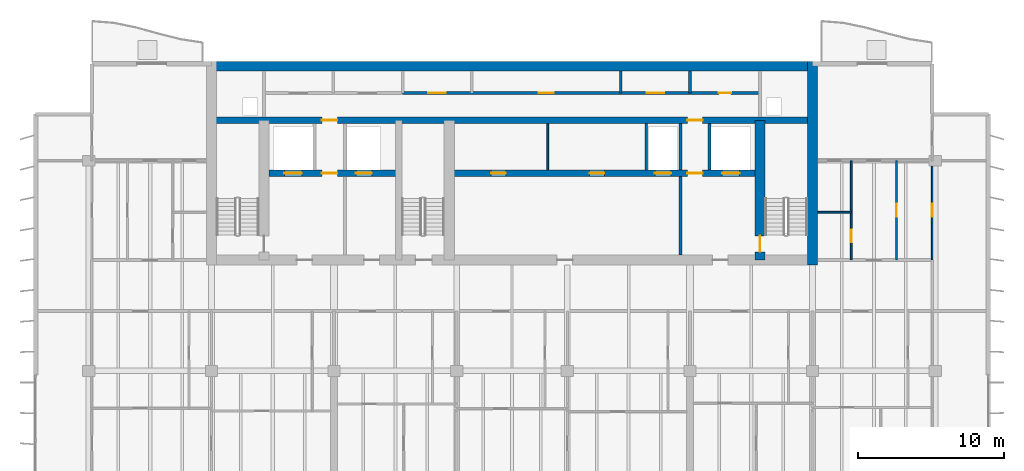
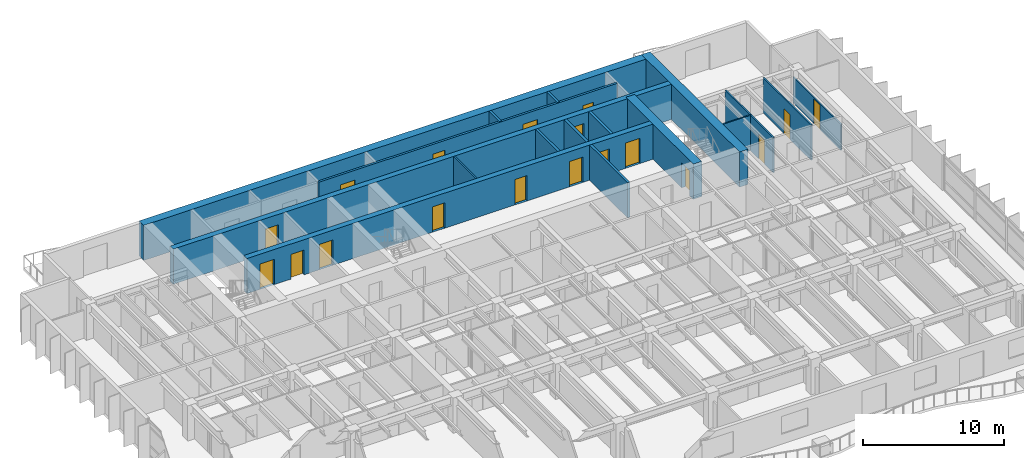
# One storey, part 14 of 19: 18 doors, 17 walls, 18 openings.
"""IFC4 building model written with IfcOpenShell, lengths in metres."""

import ifcopenshell
import ifcopenshell.guid

model = None  # the IFC model being written
_history = None  # IfcOwnerHistory: only IFC2X3 demands one
_inside = {}  # id of a spatial element -> (the spatial element, [elements in it])
_under = {}  # id of a project, library or spatial element -> (it, [spatial elements below it])
_declared = {}  # id of a project -> (the project, [libraries it declares])
_typed = {}  # id of a type object -> (the type object, [elements of that type])
_made_of = {}  # id of a material, layer set ... -> (it, [elements and type objects made of it])


def new_model(schema):
    """Start an empty IFC model of exactly this schema.

    Asked for "IFC4X3", IfcOpenShell would pick the latest addendum, in which some entities
    have other attributes; the version numbers below select the first issue.
    IFC2X3 requires an IfcOwnerHistory on every rooted entity: one is made here for all.
    """
    global model, _history
    if schema == "IFC4X3":
        model = ifcopenshell.file(schema_version=(4, 3, 0, 0))
    else:
        model = ifcopenshell.file(schema=schema)
    _inside.clear()
    _under.clear()
    _declared.clear()
    _typed.clear()
    _made_of.clear()
    _history = None
    if model.schema == "IFC2X3":
        org = make("IfcOrganization", Name="unknown")
        user = make(
            "IfcPersonAndOrganization",
            ThePerson=make("IfcPerson", FamilyName="unknown"),
            TheOrganization=org,
        )
        app = make(
            "IfcApplication",
            ApplicationDeveloper=org,
            Version="unknown",
            ApplicationFullName="unknown",
            ApplicationIdentifier="unknown",
        )
        _history = make(
            "IfcOwnerHistory",
            OwningUser=user,
            OwningApplication=app,
            ChangeAction="ADDED",
            CreationDate=0,
        )
    return model


def make(cls, **values):
    """One entity of the class cls with the attributes given. An attribute that is None is left unset."""
    return model.create_entity(
        cls, **{name: value for name, value in values.items() if value is not None}
    )


def rooted(cls, **values):
    """An entity with a GlobalId (a new one), such as an element, a storey or a relation."""
    return make(cls, GlobalId=ifcopenshell.guid.new(), OwnerHistory=_history, **values)


def si_unit(unit_type, name, prefix=None):
    """IfcSIUnit, for example si_unit("LENGTHUNIT", "METRE", prefix="MILLI")."""
    return make("IfcSIUnit", UnitType=unit_type, Prefix=prefix, Name=name)


def assignment(units):
    """IfcUnitAssignment: the units of a project."""
    return None if units is None else make("IfcUnitAssignment", Units=units)


def point(xyz):
    """IfcCartesianPoint."""
    return None if xyz is None else make("IfcCartesianPoint", Coordinates=xyz)


def direction(xyz):
    """IfcDirection."""
    return None if xyz is None else make("IfcDirection", DirectionRatios=xyz)


def frame(location, z_axis=None, x_axis=None):
    """IfcAxis2Placement3D, a coordinate frame: its origin and axes. An axis left out is left unset."""
    return make(
        "IfcAxis2Placement3D",
        Location=point(location),
        Axis=direction(z_axis),
        RefDirection=direction(x_axis),
    )


def frame_2d(location, x_axis=None):
    """IfcAxis2Placement2D, a coordinate frame in the plane: its origin and x axis."""
    return make(
        "IfcAxis2Placement2D", Location=point(location), RefDirection=direction(x_axis)
    )


def origin():
    """The frame at (0, 0, 0) with its axes left unset."""
    return frame((0.0, 0.0, 0.0))


def place(relative_to, where):
    """IfcLocalPlacement: puts the frame where relative to a parent placement (None: the world)."""
    return make(
        "IfcLocalPlacement", PlacementRelTo=relative_to, RelativePlacement=where
    )


def context(
    kind, dimensions, precision=None, world=None, true_north=None, identifier=None
):
    """IfcGeometricRepresentationContext, for example the 3D "Model" context."""
    return make(
        "IfcGeometricRepresentationContext",
        ContextIdentifier=identifier,
        ContextType=kind,
        CoordinateSpaceDimension=dimensions,
        Precision=precision,
        WorldCoordinateSystem=world,
        TrueNorth=true_north,
    )


def subcontext(parent, identifier, kind, view, scale=None):
    """IfcGeometricRepresentationSubContext, for example "Body" below "Model"."""
    return make(
        "IfcGeometricRepresentationSubContext",
        ContextIdentifier=identifier,
        ContextType=kind,
        ParentContext=parent,
        TargetScale=scale,
        TargetView=view,
    )


def project(units=None, contexts=None):
    """IfcProject with its units and contexts."""
    return rooted(
        "IfcProject",
        Name="project",
        RepresentationContexts=contexts,
        UnitsInContext=assignment(units),
    )


def spatial(cls, under=None, at=None, **own):
    """A site, building, storey or space (cls), placed at a placement, below another one or the project."""
    s = rooted(cls, ObjectPlacement=at, **own)
    if under is not None:
        _under.setdefault(under.id(), (under, []))[1].append(s)
    return s


def profile(cls, at=None, kind="AREA", **sizes):
    """A parametric profile (cls). Its sizes go by their IFC names, for example OverallWidth=200.0."""
    return make(cls, ProfileType=kind, Position=at, **sizes)


def rectangle(**sizes):
    """IfcRectangleProfileDef."""
    return profile("IfcRectangleProfileDef", **sizes)


def extrude(swept, where, along, depth):
    """IfcExtrudedAreaSolid: the profile swept, set in the frame where, extruded along a direction by depth."""
    return make(
        "IfcExtrudedAreaSolid",
        SweptArea=swept,
        Position=where,
        ExtrudedDirection=direction(along),
        Depth=depth,
    )


def shape(context_of_items, identifier, shape_type, items):
    """IfcShapeRepresentation: the items that make up one representation, for example the "Body"."""
    return make(
        "IfcShapeRepresentation",
        ContextOfItems=context_of_items,
        RepresentationIdentifier=identifier,
        RepresentationType=shape_type,
        Items=items,
    )


def material(Name=None, Category=None):
    """IfcMaterial."""
    return make("IfcMaterial", Name=Name, Category=Category)


def layer(
    of_material, thickness, ventilated=None, Name=None, Category=None, Priority=None
):
    """IfcMaterialLayer: one layer of a wall or slab, of a material (None: an air gap)."""
    return make(
        "IfcMaterialLayer",
        Material=of_material,
        LayerThickness=thickness,
        IsVentilated=ventilated,
        Name=Name,
        Category=Category,
        Priority=Priority,
    )


def layer_set(layers, Name=None):
    """IfcMaterialLayerSet."""
    return make("IfcMaterialLayerSet", MaterialLayers=layers, LayerSetName=Name)


def made_of(thing, what):
    """Note that an element or type object is made of a material, layer set ...; save() writes the relation."""
    if what is not None:
        _made_of.setdefault(what.id(), (what, []))[1].append(thing)
    return thing


def type_object(cls, material=None, **own):
    """A type object (cls), such as IfcWallType, which elements share."""
    return made_of(rooted(cls, **own), material)


def element(
    cls,
    number,
    at=None,
    inside=None,
    cuts=None,
    type_object=None,
    material=None,
    context=None,
    identifier="Body",
    shape_type=None,
    held_by="IfcProductDefinitionShape",
    body=None,
    shapes=None,
    **own,
):
    """One element of the class cls, such as IfcWall. Its Tag is "e" and its number.

    at: its placement. inside: the storey or other place that contains it. cuts: it is an
    opening in that element (IfcRelVoidsElement). A single representation is given by context,
    identifier, shape_type and body (its items); several are given by shapes. held_by: the class
    of the entity that holds the representations. save() writes the other relations.
    """
    e = rooted(cls, Tag="e%d" % number, ObjectPlacement=at, **own)
    if body is not None:
        shapes = [shape(context, identifier, shape_type, body)]
    if shapes is not None:
        e.Representation = make(held_by, Representations=shapes)
    if inside is not None:
        _inside.setdefault(inside.id(), (inside, []))[1].append(e)
    if cuts is not None:
        rooted(
            "IfcRelVoidsElement", RelatingBuildingElement=cuts, RelatedOpeningElement=e
        )
    if type_object is not None:
        _typed.setdefault(type_object.id(), (type_object, []))[1].append(e)
    return made_of(e, material)


def fill(opening, filler):
    """IfcRelFillsElement: the door or window that sits in an opening."""
    return rooted(
        "IfcRelFillsElement",
        RelatingOpeningElement=opening,
        RelatedBuildingElement=filler,
    )


def aggregate(whole, parts):
    """IfcRelAggregates: a whole, such as a stair, and the parts it consists of."""
    return rooted("IfcRelAggregates", RelatingObject=whole, RelatedObjects=parts)


def save(model, path):
    """Write the relations noted so far, then the file.

    IfcRelAggregates (storeys below a building ...), IfcRelContainedInSpatialStructure (elements
    in a storey), IfcRelDefinesByType, IfcRelAssociatesMaterial and IfcRelDeclares: one each for
    every whole, place, type object, material and project.
    """
    for whole, parts in _under.values():
        aggregate(whole, parts)
    for where, things in _inside.values():
        rooted(
            "IfcRelContainedInSpatialStructure",
            RelatedElements=things,
            RelatingStructure=where,
        )
    for kind, things in _typed.values():
        rooted("IfcRelDefinesByType", RelatedObjects=things, RelatingType=kind)
    for what, things in _made_of.values():
        rooted("IfcRelAssociatesMaterial", RelatedObjects=things, RelatingMaterial=what)
    for by, libraries in _declared.values():
        rooted("IfcRelDeclares", RelatingContext=by, RelatedDefinitions=libraries)
    model.write(path)


model = new_model("IFC4")

# Units and contexts
model_context = context("Model", 3, precision=1e-05, world=origin(), true_north=direction((0.0, 1.0)))
body_context = subcontext(model_context, "Body", "Model", "MODEL_VIEW")
ifc_project = project(units=[si_unit("LENGTHUNIT", "METRE"), si_unit("AREAUNIT", "SQUARE_METRE"), si_unit("VOLUMEUNIT", "CUBIC_METRE"), si_unit("PLANEANGLEUNIT", "RADIAN"), si_unit("MASSUNIT", "GRAM", prefix="KILO")], contexts=[model_context])

# Site, building, storey
site_placement = place(None, origin())
site = spatial("IfcSite", under=ifc_project, at=site_placement, CompositionType="ELEMENT")
building_placement = place(site_placement, origin())
building = spatial("IfcBuilding", under=site, at=building_placement, Name="Caelmar Bay Residences", CompositionType="ELEMENT")
storey_placement = place(building_placement, frame((0.0, 0.0, 191.699951171875)))
storey = spatial("IfcBuildingStorey", under=building, at=storey_placement, Name="L53", CompositionType="ELEMENT", Elevation=191.699951171875)

# Wall
ifc_material_1 = material(Name="Concrete f'c 55 MPa (8,000 psi)", Category="concrete")
ifc_layer_1 = layer(ifc_material_1, 0.699951171875)
ifc_layer_set_1 = layer_set([ifc_layer_1], Name="Concrete f'c 55 MPa (8,000 psi)")
wall_type_1 = type_object("IfcWallType", Name="SW-COR-700", PredefinedType="SHEAR", material=ifc_layer_set_1)
wall_1_placement = place(storey_placement, frame((59.5, 36.64990234375, 0.0), z_axis=(0.0, 0.0, 1.0), x_axis=(0.0, 1.0, 0.0)))
element("IfcWall", 1, at=wall_1_placement, inside=storey, type_object=wall_type_1, Name="L53 Rear Core East Shear Wall", PredefinedType="SHEAR", context=body_context, shape_type="SweptSolid", body=[
    extrude(rectangle(XDim=13.9501953125, YDim=0.699951171875, at=frame_2d((6.97509765625, 0.0))), origin(), (0.0, 0.0, 1.0), 3.050048828125),
])

# Wall, opening, door
wall_2_placement = place(storey_placement, frame((55.89990234375, 37.0, 0.0), z_axis=(0.0, 0.0, 1.0), x_axis=(0.0, 1.0, 0.0)))
wall_2 = element("IfcWall", 2, at=wall_2_placement, inside=storey, type_object=wall_type_1, Name="L53 Core Structural Web Wall ST2W", PredefinedType="SHEAR", context=body_context, shape_type="SweptSolid", body=[
    extrude(rectangle(XDim=9.574951171875, YDim=0.699951171875, at=frame_2d((4.78759765625, 0.0))), origin(), (0.0, 0.0, 1.0), 3.050048828125),
])
opening_1_placement = place(wall_2_placement, frame((0.550048828125, 0.0, 0.0)))
opening_1 = element("IfcOpeningElement", 3, at=opening_1_placement, cuts=wall_2, Name="Opening D-L53-110", PredefinedType="OPENING", context=body_context, shape_type="SweptSolid", body=[
    extrude(rectangle(XDim=1.10009765625, YDim=2.14990234375, at=frame_2d((0.550048828125, 1.074951171875))), frame((0.0, 0.35986328125, 0.0), z_axis=(0.0, -1.0, 0.0), x_axis=(1.0, 0.0, 0.0)), (0.0, 0.0, 1.0), 0.719970703125),
])
ifc_material_2 = material(Name="Fire-rated steel and walnut architectural door assembly", Category="steel")
ifc_layer_2 = layer(ifc_material_2, 0.050048828125)
ifc_layer_set_2 = layer_set([ifc_layer_2], Name="Fire-rated steel and walnut architectural door assembly")
door_type_1 = type_object("IfcDoorType", Name="D-STAIR-1100", OperationType="NOTDEFINED", PredefinedType="DOOR", material=ifc_layer_set_2)
door_1_placement = place(opening_1_placement, origin())
door_1 = element("IfcDoor", 4, at=door_1_placement, inside=storey, type_object=door_type_1, Name="L53 Firefighting Lobby East Door", OperationType="SINGLE_SWING_RIGHT", OverallHeight=2.14990234375, OverallWidth=1.10009765625, PredefinedType="DOOR", context=body_context, shape_type="SweptSolid", body=[
    extrude(rectangle(XDim=1.10009765625, YDim=2.14990234375, at=frame_2d((0.550048828125, 1.074951171875))), frame((0.0, 0.02490234375, 0.0), z_axis=(0.0, -1.0, 0.0), x_axis=(1.0, 0.0, 0.0)), (0.0, 0.0, 1.0), 0.050048828125),
])
fill(opening_1, door_1)

# Wall
ifc_layer_3 = layer(ifc_material_1, 0.64990234375)
ifc_layer_set_3 = layer_set([ifc_layer_3], Name="Concrete f'c 55 MPa (8,000 psi)")
wall_type_2 = type_object("IfcWallType", Name="SW-CORN-650", PredefinedType="SHEAR", material=ifc_layer_set_3)
wall_3_placement = place(storey_placement, frame((17.949951171875, 50.27490234375, 0.0), z_axis=(0.0, 0.0, 1.0), x_axis=(1.0, 0.0, 0.0)))
element("IfcWall", 5, at=wall_3_placement, inside=storey, type_object=wall_type_2, Name="L53 Rear Core North Shear Wall", PredefinedType="SHEAR", context=body_context, shape_type="SweptSolid", body=[
    extrude(rectangle(XDim=41.900146484375, YDim=0.64990234375, at=frame_2d((20.9501953125, 0.0))), origin(), (0.0, 0.0, 1.0), 3.050048828125),
])

# Wall, openings, doors
ifc_material_3 = material(Name="Concrete f'c 70 MPa (10,000 psi)", Category="concrete")
ifc_layer_4 = layer(ifc_material_3, 0.449951171875)
ifc_layer_set_4 = layer_set([ifc_layer_4], Name="Concrete f'c 70 MPa (10,000 psi)")
wall_type_3 = type_object("IfcWallType", Name="SW-WEB-450", PredefinedType="SHEAR", material=ifc_layer_set_4)
wall_4_placement = place(storey_placement, frame((22.25, 42.949951171875, 0.0), z_axis=(0.0, 0.0, 1.0), x_axis=(1.0, 0.0, 0.0)))
wall_4 = element("IfcWall", 6, at=wall_4_placement, inside=storey, type_object=wall_type_3, Name="L53 Core Structural Web Wall LFR", PredefinedType="SHEAR", context=body_context, shape_type="SweptSolid", body=[
    extrude(rectangle(XDim=33.300048828125, YDim=0.449951171875, at=frame_2d((16.64990234375, 0.0))), origin(), (0.0, 0.0, 1.0), 3.050048828125),
])
opening_2_placement = place(wall_4_placement, frame((1.050048828125, 0.0, 0.0)))
opening_2 = element("IfcOpeningElement", 7, at=opening_2_placement, cuts=wall_4, Name="Opening LD2", PredefinedType="OPENING", context=body_context, shape_type="SweptSolid", body=[
    extrude(rectangle(XDim=1.199951171875, YDim=2.199951171875, at=frame_2d((0.60009765625, 1.10009765625))), frame((0.0, 0.23486328125, 0.0), z_axis=(0.0, -1.0, 0.0), x_axis=(1.0, 0.0, 0.0)), (0.0, 0.0, 1.0), 0.469970703125),
])
opening_3_placement = place(wall_4_placement, frame((31.050048828125, 0.0, 0.0)))
opening_3 = element("IfcOpeningElement", 8, at=opening_3_placement, cuts=wall_4, Name="Opening LD2", PredefinedType="OPENING", context=body_context, shape_type="SweptSolid", body=[
    extrude(rectangle(XDim=1.199951171875, YDim=2.199951171875, at=frame_2d((0.60009765625, 1.10009765625))), frame((0.0, 0.23486328125, 0.0), z_axis=(0.0, -1.0, 0.0), x_axis=(1.0, 0.0, 0.0)), (0.0, 0.0, 1.0), 0.469970703125),
])
opening_4_placement = place(wall_4_placement, frame((26.449951171875, 0.0, 0.0)))
opening_4 = element("IfcOpeningElement", 9, at=opening_4_placement, cuts=wall_4, Name="Opening LD1", PredefinedType="OPENING", context=body_context, shape_type="SweptSolid", body=[
    extrude(rectangle(XDim=1.10009765625, YDim=2.199951171875, at=frame_2d((0.550048828125, 1.10009765625))), frame((0.0, 0.23486328125, 0.0), z_axis=(0.0, -1.0, 0.0), x_axis=(1.0, 0.0, 0.0)), (0.0, 0.0, 1.0), 0.469970703125),
])
opening_5_placement = place(wall_4_placement, frame((5.949951171875, 0.0, 0.0)))
opening_5 = element("IfcOpeningElement", 10, at=opening_5_placement, cuts=wall_4, Name="Opening LD1", PredefinedType="OPENING", context=body_context, shape_type="SweptSolid", body=[
    extrude(rectangle(XDim=1.10009765625, YDim=2.199951171875, at=frame_2d((0.550048828125, 1.10009765625))), frame((0.0, 0.23486328125, 0.0), z_axis=(0.0, -1.0, 0.0), x_axis=(1.0, 0.0, 0.0)), (0.0, 0.0, 1.0), 0.469970703125),
])
opening_6_placement = place(wall_4_placement, frame((3.625, 0.0, 0.0)))
opening_6 = element("IfcOpeningElement", 11, at=opening_6_placement, cuts=wall_4, Name="Opening D-L53-108", PredefinedType="OPENING", context=body_context, shape_type="SweptSolid", body=[
    extrude(rectangle(XDim=1.050048828125, YDim=2.14990234375, at=frame_2d((0.52490234375, 1.074951171875))), frame((0.0, 0.23486328125, 0.0), z_axis=(0.0, -1.0, 0.0), x_axis=(1.0, 0.0, 0.0)), (0.0, 0.0, 1.0), 0.469970703125),
])
opening_7_placement = place(wall_4_placement, frame((28.675048828125, 0.0, 0.0)))
opening_7 = element("IfcOpeningElement", 12, at=opening_7_placement, cuts=wall_4, Name="Opening D-L53-111", PredefinedType="OPENING", context=body_context, shape_type="SweptSolid", body=[
    extrude(rectangle(XDim=1.050048828125, YDim=2.14990234375, at=frame_2d((0.52490234375, 1.074951171875))), frame((0.0, 0.23486328125, 0.0), z_axis=(0.0, -1.0, 0.0), x_axis=(1.0, 0.0, 0.0)), (0.0, 0.0, 1.0), 0.469970703125),
])
opening_8_placement = place(wall_4_placement, frame((15.22509765625, 0.0, 0.0)))
opening_8 = element("IfcOpeningElement", 13, at=opening_8_placement, cuts=wall_4, Name="Opening D-L53-114", PredefinedType="OPENING", context=body_context, shape_type="SweptSolid", body=[
    extrude(rectangle(XDim=1.0, YDim=2.199951171875, at=frame_2d((0.5, 1.10009765625))), frame((0.0, 0.23486328125, 0.0), z_axis=(0.0, -1.0, 0.0), x_axis=(1.0, 0.0, 0.0)), (0.0, 0.0, 1.0), 0.469970703125),
])
opening_9_placement = place(wall_4_placement, frame((21.97509765625, 0.0, 0.0)))
opening_9 = element("IfcOpeningElement", 14, at=opening_9_placement, cuts=wall_4, Name="Opening D-L53-115", PredefinedType="OPENING", context=body_context, shape_type="SweptSolid", body=[
    extrude(rectangle(XDim=1.0, YDim=2.199951171875, at=frame_2d((0.5, 1.10009765625))), frame((0.0, 0.23486328125, 0.0), z_axis=(0.0, -1.0, 0.0), x_axis=(1.0, 0.0, 0.0)), (0.0, 0.0, 1.0), 0.469970703125),
])
ifc_layer_5 = layer(ifc_material_2, 0.050048828125)
ifc_layer_set_5 = layer_set([ifc_layer_5], Name="Fire-rated steel and walnut architectural door assembly")
door_type_2 = type_object("IfcDoorType", Name="D-FSAE-1050", OperationType="NOTDEFINED", PredefinedType="DOOR", material=ifc_layer_set_5)
door_2_placement = place(opening_6_placement, origin())
door_2 = element("IfcDoor", 15, at=door_2_placement, inside=storey, type_object=door_type_2, Name="L53 Firefighting Lobby West Door", OperationType="SINGLE_SWING_RIGHT", OverallHeight=2.14990234375, OverallWidth=1.050048828125, PredefinedType="DOOR", context=body_context, shape_type="SweptSolid", body=[
    extrude(rectangle(XDim=1.050048828125, YDim=2.14990234375, at=frame_2d((0.52490234375, 1.074951171875))), frame((0.0, 0.02490234375, 0.0), z_axis=(0.0, -1.0, 0.0), x_axis=(1.0, 0.0, 0.0)), (0.0, 0.0, 1.0), 0.050048828125),
])
fill(opening_6, door_2)
door_3_placement = place(opening_7_placement, origin())
door_3 = element("IfcDoor", 16, at=door_3_placement, inside=storey, type_object=door_type_2, Name="L53 Firefighting Lobby East Door", OperationType="SINGLE_SWING_LEFT", OverallHeight=2.14990234375, OverallWidth=1.050048828125, PredefinedType="DOOR", context=body_context, shape_type="SweptSolid", body=[
    extrude(rectangle(XDim=1.050048828125, YDim=2.14990234375, at=frame_2d((0.52490234375, 1.074951171875))), frame((0.0, 0.02490234375, 0.0), z_axis=(0.0, -1.0, 0.0), x_axis=(1.0, 0.0, 0.0)), (0.0, 0.0, 1.0), 0.050048828125),
])
fill(opening_7, door_3)
ifc_material_4 = material(Name="Brushed bronze stainless-steel fire-rated lift landing doors", Category="steel")
ifc_layer_6 = layer(ifc_material_4, 0.050048828125)
ifc_layer_set_6 = layer_set([ifc_layer_6], Name="Brushed bronze stainless-steel fire-rated lift landing doors")
door_type_3 = type_object("IfcDoorType", Name="D-LND-1100", OperationType="DOUBLE_DOOR_SLIDING", PredefinedType="DOOR", material=ifc_layer_set_6)
door_4_placement = place(opening_4_placement, origin())
door_4 = element("IfcDoor", 17, at=door_4_placement, inside=storey, type_object=door_type_3, Name="L53 LP6 Sliding Landing Door", OperationType="DOUBLE_DOOR_SLIDING", OverallHeight=2.199951171875, OverallWidth=1.10009765625, PredefinedType="DOOR", context=body_context, shape_type="SweptSolid", body=[
    extrude(rectangle(XDim=1.10009765625, YDim=2.199951171875, at=frame_2d((0.550048828125, 1.10009765625))), frame((0.0, 0.02490234375, 0.0), z_axis=(0.0, -1.0, 0.0), x_axis=(1.0, 0.0, 0.0)), (0.0, 0.0, 1.0), 0.050048828125),
])
fill(opening_4, door_4)
door_5_placement = place(opening_5_placement, origin())
door_5 = element("IfcDoor", 18, at=door_5_placement, inside=storey, type_object=door_type_3, Name="L53 LP7 Sliding Landing Door", OperationType="DOUBLE_DOOR_SLIDING", OverallHeight=2.199951171875, OverallWidth=1.10009765625, PredefinedType="DOOR", context=body_context, shape_type="SweptSolid", body=[
    extrude(rectangle(XDim=1.10009765625, YDim=2.199951171875, at=frame_2d((0.550048828125, 1.10009765625))), frame((0.0, 0.02490234375, 0.0), z_axis=(0.0, -1.0, 0.0), x_axis=(1.0, 0.0, 0.0)), (0.0, 0.0, 1.0), 0.050048828125),
])
fill(opening_5, door_5)
ifc_material_5 = material(Name="Brushed stainless-steel FSAE sliding landing door", Category="steel")
ifc_layer_7 = layer(ifc_material_5, 0.050048828125)
ifc_layer_set_7 = layer_set([ifc_layer_7], Name="Brushed stainless-steel FSAE sliding landing door")
door_type_4 = type_object("IfcDoorType", Name="D-LND-1200", OperationType="DOUBLE_DOOR_SLIDING", PredefinedType="DOOR", material=ifc_layer_set_7)
door_6_placement = place(opening_2_placement, origin())
door_6 = element("IfcDoor", 19, at=door_6_placement, inside=storey, type_object=door_type_4, Name="L53 LF1 Sliding Landing Door", OperationType="DOUBLE_DOOR_SLIDING", OverallHeight=2.199951171875, OverallWidth=1.199951171875, PredefinedType="DOOR", context=body_context, shape_type="SweptSolid", body=[
    extrude(rectangle(XDim=1.199951171875, YDim=2.199951171875, at=frame_2d((0.60009765625, 1.10009765625))), frame((0.0, 0.02490234375, 0.0), z_axis=(0.0, -1.0, 0.0), x_axis=(1.0, 0.0, 0.0)), (0.0, 0.0, 1.0), 0.050048828125),
])
fill(opening_2, door_6)
door_7_placement = place(opening_3_placement, origin())
door_7 = element("IfcDoor", 20, at=door_7_placement, inside=storey, type_object=door_type_4, Name="L53 LF2 Sliding Landing Door", OperationType="DOUBLE_DOOR_SLIDING", OverallHeight=2.199951171875, OverallWidth=1.199951171875, PredefinedType="DOOR", context=body_context, shape_type="SweptSolid", body=[
    extrude(rectangle(XDim=1.199951171875, YDim=2.199951171875, at=frame_2d((0.60009765625, 1.10009765625))), frame((0.0, 0.02490234375, 0.0), z_axis=(0.0, -1.0, 0.0), x_axis=(1.0, 0.0, 0.0)), (0.0, 0.0, 1.0), 0.050048828125),
])
fill(opening_3, door_7)
ifc_layer_8 = layer(ifc_material_2, 0.050048828125)
ifc_layer_set_8 = layer_set([ifc_layer_8], Name="Fire-rated steel and walnut architectural door assembly")
door_type_5 = type_object("IfcDoorType", Name="D-UNIT-1000", OperationType="NOTDEFINED", PredefinedType="DOOR", material=ifc_layer_set_8)
door_8_placement = place(opening_8_placement, origin())
door_8 = element("IfcDoor", 21, at=door_8_placement, inside=storey, type_object=door_type_5, Name="L53 Music Study Room Door", OperationType="SINGLE_SWING_RIGHT", OverallHeight=2.199951171875, OverallWidth=1.0, PredefinedType="DOOR", context=body_context, shape_type="SweptSolid", body=[
    extrude(rectangle(XDim=1.0, YDim=2.199951171875, at=frame_2d((0.5, 1.10009765625))), frame((0.0, 0.02490234375, 0.0), z_axis=(0.0, -1.0, 0.0), x_axis=(1.0, 0.0, 0.0)), (0.0, 0.0, 1.0), 0.050048828125),
])
fill(opening_8, door_8)
door_9_placement = place(opening_9_placement, origin())
door_9 = element("IfcDoor", 22, at=door_9_placement, inside=storey, type_object=door_type_5, Name="L53 Board Meeting Room Door", OperationType="SINGLE_SWING_LEFT", OverallHeight=2.199951171875, OverallWidth=1.0, PredefinedType="DOOR", context=body_context, shape_type="SweptSolid", body=[
    extrude(rectangle(XDim=1.0, YDim=2.199951171875, at=frame_2d((0.5, 1.10009765625))), frame((0.0, 0.02490234375, 0.0), z_axis=(0.0, -1.0, 0.0), x_axis=(1.0, 0.0, 0.0)), (0.0, 0.0, 1.0), 0.050048828125),
])
fill(opening_9, door_9)

wall_5_placement = place(storey_placement, frame((18.300048828125, 46.574951171875, 0.0), z_axis=(0.0, 0.0, 1.0), x_axis=(1.0, 0.0, 0.0)))
wall_5 = element("IfcWall", 23, at=wall_5_placement, inside=storey, type_object=wall_type_3, Name="L53 Core Structural Web Wall SRVS", PredefinedType="SHEAR", context=body_context, shape_type="SweptSolid", body=[
    extrude(rectangle(XDim=41.199951171875, YDim=0.449951171875, at=frame_2d((20.60009765625, 0.0))), origin(), (0.0, 0.0, 1.0), 3.050048828125),
])
opening_10_placement = place(wall_5_placement, frame((7.574951171875, 0.0, 0.0)))
opening_10 = element("IfcOpeningElement", 24, at=opening_10_placement, cuts=wall_5, Name="Opening D-L53-116", PredefinedType="OPENING", context=body_context, shape_type="SweptSolid", body=[
    extrude(rectangle(XDim=1.050048828125, YDim=2.14990234375, at=frame_2d((0.52490234375, 1.074951171875))), frame((0.0, 0.23486328125, 0.0), z_axis=(0.0, -1.0, 0.0), x_axis=(1.0, 0.0, 0.0)), (0.0, 0.0, 1.0), 0.469970703125),
])
opening_11_placement = place(wall_5_placement, frame((32.625, 0.0, 0.0)))
opening_11 = element("IfcOpeningElement", 25, at=opening_11_placement, cuts=wall_5, Name="Opening D-L53-117", PredefinedType="OPENING", context=body_context, shape_type="SweptSolid", body=[
    extrude(rectangle(XDim=1.050048828125, YDim=2.14990234375, at=frame_2d((0.52490234375, 1.074951171875))), frame((0.0, 0.23486328125, 0.0), z_axis=(0.0, -1.0, 0.0), x_axis=(1.0, 0.0, 0.0)), (0.0, 0.0, 1.0), 0.469970703125),
])
door_10_placement = place(opening_10_placement, origin())
door_10 = element("IfcDoor", 26, at=door_10_placement, inside=storey, type_object=door_type_2, Name="L53 Core Service Corridor Door", OperationType="SINGLE_SWING_RIGHT", OverallHeight=2.14990234375, OverallWidth=1.050048828125, PredefinedType="DOOR", context=body_context, shape_type="SweptSolid", body=[
    extrude(rectangle(XDim=1.050048828125, YDim=2.14990234375, at=frame_2d((0.52490234375, 1.074951171875))), frame((0.0, 0.02490234375, 0.0), z_axis=(0.0, -1.0, 0.0), x_axis=(1.0, 0.0, 0.0)), (0.0, 0.0, 1.0), 0.050048828125),
])
fill(opening_10, door_10)
door_11_placement = place(opening_11_placement, origin())
door_11 = element("IfcDoor", 27, at=door_11_placement, inside=storey, type_object=door_type_2, Name="L53 Core Service Corridor Door", OperationType="SINGLE_SWING_LEFT", OverallHeight=2.14990234375, OverallWidth=1.050048828125, PredefinedType="DOOR", context=body_context, shape_type="SweptSolid", body=[
    extrude(rectangle(XDim=1.050048828125, YDim=2.14990234375, at=frame_2d((0.52490234375, 1.074951171875))), frame((0.0, 0.02490234375, 0.0), z_axis=(0.0, -1.0, 0.0), x_axis=(1.0, 0.0, 0.0)), (0.0, 0.0, 1.0), 0.050048828125),
])
fill(opening_11, door_11)

# Walls
ifc_material_6 = material(Name="Double-stud acoustic fire-rated gypsum partition 180 mm")
ifc_layer_9 = layer(ifc_material_6, 0.179931640625)
ifc_layer_set_9 = layer_set([ifc_layer_9], Name="Double-stud acoustic fire-rated gypsum partition 180 mm")
wall_type_4 = type_object("IfcWallType", Name="W-COR-200", PredefinedType="PARTITIONING", material=ifc_layer_set_9)
for number, where, z_axis, x_axis, name in (
    (28, (46.35009765625, 48.449951171875, 0.0), (0.0, 0.0, 1.0), (0.0, 1.0, 0.0), "L53 Partition Wall V058"),
    (29, (51.10009765625, 48.449951171875, 0.0), (0.0, 0.0, 1.0), (0.0, 1.0, 0.0), "L53 Partition Wall V068"),
):
    element("IfcWall", number, at=place(storey_placement, frame(where, z_axis=z_axis, x_axis=x_axis)), inside=storey, type_object=wall_type_4, Name=name, PredefinedType="PARTITIONING", context=body_context, shape_type="SweptSolid", body=[
        extrude(rectangle(XDim=1.505126953125, YDim=0.179931640625, at=frame_2d((0.75244140625, 0.0))), origin(), (0.0, 0.0, 1.0), 3.050048828125),
    ])

# Wall, openings, doors
wall_6_placement = place(storey_placement, frame((31.39990234375, 48.449951171875, 0.0), z_axis=(0.0, 0.0, 1.0), x_axis=(1.0, 0.0, 0.0)))
wall_6 = element("IfcWall", 30, at=wall_6_placement, inside=storey, type_object=wall_type_4, Name="L53 Partition Wall H136", PredefinedType="PARTITIONING", context=body_context, shape_type="SweptSolid", body=[
    extrude(rectangle(XDim=24.5, YDim=0.179931640625, at=frame_2d((12.25, 0.0))), origin(), (0.0, 0.0, 1.0), 3.050048828125),
])
opening_12_placement = place(wall_6_placement, frame((1.77490234375, 0.0, 0.0)))
opening_12 = element("IfcOpeningElement", 31, at=opening_12_placement, cuts=wall_6, Name="Opening D-L53-120", PredefinedType="OPENING", context=body_context, shape_type="SweptSolid", body=[
    extrude(rectangle(XDim=1.199951171875, YDim=2.199951171875, at=frame_2d((0.60009765625, 1.10009765625))), frame((0.0, 0.099853515625, 0.0), z_axis=(0.0, -1.0, 0.0), x_axis=(1.0, 0.0, 0.0)), (0.0, 0.0, 1.0), 0.199951171875),
])
opening_13_placement = place(wall_6_placement, frame((9.35009765625, 0.0, 0.0)))
opening_13 = element("IfcOpeningElement", 32, at=opening_13_placement, cuts=wall_6, Name="Opening D-L53-121", PredefinedType="OPENING", context=body_context, shape_type="SweptSolid", body=[
    extrude(rectangle(XDim=1.0, YDim=2.199951171875, at=frame_2d((0.5, 1.10009765625))), frame((0.0, 0.099853515625, 0.0), z_axis=(0.0, -1.0, 0.0), x_axis=(1.0, 0.0, 0.0)), (0.0, 0.0, 1.0), 0.199951171875),
])
opening_14_placement = place(wall_6_placement, frame((16.72509765625, 0.0, 0.0)))
opening_14 = element("IfcOpeningElement", 33, at=opening_14_placement, cuts=wall_6, Name="Opening D-L53-122", PredefinedType="OPENING", context=body_context, shape_type="SweptSolid", body=[
    extrude(rectangle(XDim=1.199951171875, YDim=2.199951171875, at=frame_2d((0.60009765625, 1.10009765625))), frame((0.0, 0.099853515625, 0.0), z_axis=(0.0, -1.0, 0.0), x_axis=(1.0, 0.0, 0.0)), (0.0, 0.0, 1.0), 0.199951171875),
])
opening_15_placement = place(wall_6_placement, frame((21.675048828125, 0.0, 0.0)))
opening_15 = element("IfcOpeningElement", 34, at=opening_15_placement, cuts=wall_6, Name="Opening D-L53-123", PredefinedType="OPENING", context=body_context, shape_type="SweptSolid", body=[
    extrude(rectangle(XDim=0.85009765625, YDim=2.10009765625, at=frame_2d((0.425048828125, 1.050048828125))), frame((0.0, 0.099853515625, 0.0), z_axis=(0.0, -1.0, 0.0), x_axis=(1.0, 0.0, 0.0)), (0.0, 0.0, 1.0), 0.199951171875),
])
ifc_layer_10 = layer(ifc_material_2, 0.050048828125)
ifc_layer_set_10 = layer_set([ifc_layer_10], Name="Fire-rated steel and walnut architectural door assembly")
door_type_6 = type_object("IfcDoorType", Name="D-CORE-850", OperationType="NOTDEFINED", PredefinedType="DOOR", material=ifc_layer_set_10)
door_12_placement = place(opening_15_placement, origin())
door_12 = element("IfcDoor", 35, at=door_12_placement, inside=storey, type_object=door_type_6, Name="L53 Staff Restroom Door", OperationType="SINGLE_SWING_LEFT", OverallHeight=2.10009765625, OverallWidth=0.85009765625, PredefinedType="DOOR", context=body_context, shape_type="SweptSolid", body=[
    extrude(rectangle(XDim=0.85009765625, YDim=2.10009765625, at=frame_2d((0.425048828125, 1.050048828125))), frame((0.0, 0.02490234375, 0.0), z_axis=(0.0, -1.0, 0.0), x_axis=(1.0, 0.0, 0.0)), (0.0, 0.0, 1.0), 0.050048828125),
])
fill(opening_15, door_12)
ifc_layer_11 = layer(ifc_material_2, 0.050048828125)
ifc_layer_set_11 = layer_set([ifc_layer_11], Name="Fire-rated steel and walnut architectural door assembly")
door_type_7 = type_object("IfcDoorType", Name="D-PLANT-1200", OperationType="NOTDEFINED", PredefinedType="DOOR", material=ifc_layer_set_11)
door_13_placement = place(opening_12_placement, origin())
door_13 = element("IfcDoor", 36, at=door_13_placement, inside=storey, type_object=door_type_7, Name="L53 Low-Voltage Data Closet Door", OperationType="SINGLE_SWING_RIGHT", OverallHeight=2.199951171875, OverallWidth=1.199951171875, PredefinedType="DOOR", context=body_context, shape_type="SweptSolid", body=[
    extrude(rectangle(XDim=1.199951171875, YDim=2.199951171875, at=frame_2d((0.60009765625, 1.10009765625))), frame((0.0, 0.02490234375, 0.0), z_axis=(0.0, -1.0, 0.0), x_axis=(1.0, 0.0, 0.0)), (0.0, 0.0, 1.0), 0.050048828125),
])
fill(opening_12, door_13)
door_14_placement = place(opening_14_placement, origin())
door_14 = element("IfcDoor", 37, at=door_14_placement, inside=storey, type_object=door_type_7, Name="L53 Valet Trunk Closet Door", OperationType="SINGLE_SWING_RIGHT", OverallHeight=2.199951171875, OverallWidth=1.199951171875, PredefinedType="DOOR", context=body_context, shape_type="SweptSolid", body=[
    extrude(rectangle(XDim=1.199951171875, YDim=2.199951171875, at=frame_2d((0.60009765625, 1.10009765625))), frame((0.0, 0.02490234375, 0.0), z_axis=(0.0, -1.0, 0.0), x_axis=(1.0, 0.0, 0.0)), (0.0, 0.0, 1.0), 0.050048828125),
])
fill(opening_14, door_14)
door_15_placement = place(opening_13_placement, origin())
door_15 = element("IfcDoor", 38, at=door_15_placement, inside=storey, type_object=door_type_5, Name="L53 Mail Sorting Office Door", OperationType="SINGLE_SWING_LEFT", OverallHeight=2.199951171875, OverallWidth=1.0, PredefinedType="DOOR", context=body_context, shape_type="SweptSolid", body=[
    extrude(rectangle(XDim=1.0, YDim=2.199951171875, at=frame_2d((0.5, 1.10009765625))), frame((0.0, 0.02490234375, 0.0), z_axis=(0.0, -1.0, 0.0), x_axis=(1.0, 0.0, 0.0)), (0.0, 0.0, 1.0), 0.050048828125),
])
fill(opening_13, door_15)

# Walls
ifc_material_7 = material(Name="Fire-rated masonry and gypsum shaftliner assembly 200 mm", Category="masonry")
ifc_layer_12 = layer(ifc_material_7, 0.199951171875)
ifc_layer_set_12 = layer_set([ifc_layer_12], Name="Fire-rated masonry and gypsum shaftliner assembly 200 mm")
wall_type_5 = type_object("IfcWallType", Name="W-FSAE-200", PredefinedType="PARTITIONING", material=ifc_layer_set_12)
wall_7_placement = place(storey_placement, frame((48.10009765625, 43.169921875, 0.0), z_axis=(0.0, 0.0, 1.0), x_axis=(0.0, 1.0, 0.0)))
element("IfcWall", 39, at=wall_7_placement, inside=storey, type_object=wall_type_5, Name="L53 Partition Wall V059", PredefinedType="PARTITIONING", context=body_context, shape_type="SweptSolid", body=[
    extrude(rectangle(XDim=3.18505859375, YDim=0.199951171875, at=frame_2d((1.592529296875, 0.0))), origin(), (0.0, 0.0, 1.0), 3.050048828125),
])
wall_8_placement = place(storey_placement, frame((50.449951171875, 37.344970703125, 0.0), z_axis=(0.0, 0.0, 1.0), x_axis=(0.0, 1.0, 0.0)))
element("IfcWall", 40, at=wall_8_placement, inside=storey, type_object=wall_type_5, Name="L53 Partition Wall V063", PredefinedType="PARTITIONING", context=body_context, shape_type="SweptSolid", body=[
    extrude(rectangle(XDim=5.385009765625, YDim=0.199951171875, at=frame_2d((2.6923828125, 0.0))), origin(), (0.0, 0.0, 1.0), 3.050048828125),
])
for number, where, z_axis, x_axis, name in (
    (41, (50.449951171875, 43.169921875, 0.0), (0.0, 0.0, 1.0), (0.0, 1.0, 0.0), "L53 Partition Wall V064"),
    (42, (52.449951171875, 43.169921875, 0.0), (0.0, 0.0, 1.0), (0.0, 1.0, 0.0), "L53 Partition Wall V069"),
):
    element("IfcWall", number, at=place(storey_placement, frame(where, z_axis=z_axis, x_axis=x_axis)), inside=storey, type_object=wall_type_5, Name=name, PredefinedType="PARTITIONING", context=body_context, shape_type="SweptSolid", body=[
        extrude(rectangle(XDim=3.18505859375, YDim=0.199951171875, at=frame_2d((1.592529296875, 0.0))), origin(), (0.0, 0.0, 1.0), 3.050048828125),
    ])

# Wall, opening, door
ifc_material_8 = material(Name="Anodised bronze framed acoustic sliding study partition 100 mm")
ifc_layer_13 = layer(ifc_material_8, 0.10009765625)
ifc_layer_set_13 = layer_set([ifc_layer_13], Name="Anodised bronze framed acoustic sliding study partition 100 mm")
wall_type_6 = type_object("IfcWallType", Name="W-MOV-100", PredefinedType="MOVABLE", material=ifc_layer_set_13)
wall_9_placement = place(storey_placement, frame((67.699951171875, 37.0048828125, 0.0), z_axis=(0.0, 0.0, 1.0), x_axis=(0.0, 1.0, 0.0)))
wall_9 = element("IfcWall", 43, at=wall_9_placement, inside=storey, type_object=wall_type_6, Name="L53 Partition Wall V102", PredefinedType="MOVABLE", context=body_context, shape_type="SweptSolid", body=[
    extrude(rectangle(XDim=6.795166015625, YDim=0.10009765625, at=frame_2d((3.3974609375, 0.0))), origin(), (0.0, 0.0, 1.0), 2.262939453125),
])
opening_16_placement = place(wall_9_placement, frame((2.947509765625, 0.0, 0.0)))
opening_16 = element("IfcOpeningElement", 44, at=opening_16_placement, cuts=wall_9, Name="Opening D-L53-175", PredefinedType="OPENING", context=body_context, shape_type="SweptSolid", body=[
    extrude(rectangle(XDim=0.89990234375, YDim=2.14990234375, at=frame_2d((0.449951171875, 1.074951171875))), frame((0.0, 0.06005859375, 0.0), z_axis=(0.0, -1.0, 0.0), x_axis=(1.0, 0.0, 0.0)), (0.0, 0.0, 1.0), 0.1201171875),
])
ifc_material_9 = material(Name="Solid walnut timber interior door leaf and frame", Category="wood")
ifc_layer_14 = layer(ifc_material_9, 0.050048828125)
ifc_layer_set_14 = layer_set([ifc_layer_14], Name="Solid walnut timber interior door leaf and frame")
door_type_8 = type_object("IfcDoorType", Name="D-ROOM-900", OperationType="NOTDEFINED", PredefinedType="DOOR", material=ifc_layer_set_14)
door_16_placement = place(opening_16_placement, origin())
door_16 = element("IfcDoor", 45, at=door_16_placement, inside=storey, type_object=door_type_8, Name="L53 Residence EA Sun Study Door", OperationType="SINGLE_SWING_LEFT", OverallHeight=2.14990234375, OverallWidth=0.89990234375, PredefinedType="DOOR", context=body_context, shape_type="SweptSolid", body=[
    extrude(rectangle(XDim=0.89990234375, YDim=2.14990234375, at=frame_2d((0.449951171875, 1.074951171875))), frame((0.0, 0.02490234375, 0.0), z_axis=(0.0, -1.0, 0.0), x_axis=(1.0, 0.0, 0.0)), (0.0, 0.0, 1.0), 0.050048828125),
])
fill(opening_16, door_16)

# Wall
ifc_material_10 = material(Name="Acoustic metal-stud gypsum partition 120 mm")
ifc_layer_15 = layer(ifc_material_10, 0.1201171875)
ifc_layer_set_15 = layer_set([ifc_layer_15], Name="Acoustic metal-stud gypsum partition 120 mm")
wall_type_7 = type_object("IfcWallType", Name="W-PRT-120", PredefinedType="PARTITIONING", material=ifc_layer_set_15)
wall_10_placement = place(storey_placement, frame((41.35009765625, 43.169921875, 0.0), z_axis=(0.0, 0.0, 1.0), x_axis=(0.0, 1.0, 0.0)))
element("IfcWall", 46, at=wall_10_placement, inside=storey, type_object=wall_type_7, Name="L53 Partition Wall V050", PredefinedType="PARTITIONING", context=body_context, shape_type="SweptSolid", body=[
    extrude(rectangle(XDim=3.18505859375, YDim=0.1201171875, at=frame_2d((1.592529296875, 0.0))), origin(), (0.0, 0.0, 1.0), 3.050048828125),
])

# Wall, opening, door
wall_11_placement = place(storey_placement, frame((62.14990234375, 37.0, 0.0), z_axis=(0.0, 0.0, 1.0), x_axis=(0.0, 1.0, 0.0)))
wall_11 = element("IfcWall", 47, at=wall_11_placement, inside=storey, type_object=wall_type_7, Name="L53 Partition Wall V085", PredefinedType="PARTITIONING", context=body_context, shape_type="SweptSolid", body=[
    extrude(rectangle(XDim=6.800048828125, YDim=0.1201171875, at=frame_2d((3.39990234375, 0.0))), origin(), (0.0, 0.0, 1.0), 3.050048828125),
])
opening_17_placement = place(wall_11_placement, frame((1.20703125, 0.0, 0.0)))
opening_17 = element("IfcOpeningElement", 48, at=opening_17_placement, cuts=wall_11, Name="Opening D-L53-173", PredefinedType="OPENING", context=body_context, shape_type="SweptSolid", body=[
    extrude(rectangle(XDim=0.85009765625, YDim=2.10009765625, at=frame_2d((0.425048828125, 1.050048828125))), frame((0.0, 0.070068359375, 0.0), z_axis=(0.0, -1.0, 0.0), x_axis=(1.0, 0.0, 0.0)), (0.0, 0.0, 1.0), 0.14013671875),
])
ifc_layer_16 = layer(ifc_material_9, 0.050048828125)
ifc_layer_set_16 = layer_set([ifc_layer_16], Name="Solid walnut timber interior door leaf and frame")
door_type_9 = type_object("IfcDoorType", Name="D-BATH-850", OperationType="NOTDEFINED", PredefinedType="DOOR", material=ifc_layer_set_16)
door_17_placement = place(opening_17_placement, origin())
door_17 = element("IfcDoor", 49, at=door_17_placement, inside=storey, type_object=door_type_9, Name="L53 Residence EA Walk-In Closet Door", OperationType="SINGLE_SWING_LEFT", OverallHeight=2.10009765625, OverallWidth=0.85009765625, PredefinedType="DOOR", context=body_context, shape_type="SweptSolid", body=[
    extrude(rectangle(XDim=0.85009765625, YDim=2.10009765625, at=frame_2d((0.425048828125, 1.050048828125))), frame((0.0, 0.02490234375, 0.0), z_axis=(0.0, -1.0, 0.0), x_axis=(1.0, 0.0, 0.0)), (0.0, 0.0, 1.0), 0.050048828125),
])
fill(opening_17, door_17)

wall_12_placement = place(storey_placement, frame((65.258056640625, 37.0, 0.0), z_axis=(0.0, 0.0, 1.0), x_axis=(0.0, 1.0, 0.0)))
wall_12 = element("IfcWall", 50, at=wall_12_placement, inside=storey, type_object=wall_type_7, Name="L53 Partition Wall V092", PredefinedType="PARTITIONING", context=body_context, shape_type="SweptSolid", body=[
    extrude(rectangle(XDim=6.800048828125, YDim=0.1201171875, at=frame_2d((3.39990234375, 0.0))), origin(), (0.0, 0.0, 1.0), 3.050048828125),
])
opening_18_placement = place(wall_12_placement, frame((2.949951171875, 0.0, 0.0)))
opening_18 = element("IfcOpeningElement", 51, at=opening_18_placement, cuts=wall_12, Name="Opening D-L53-170", PredefinedType="OPENING", context=body_context, shape_type="SweptSolid", body=[
    extrude(rectangle(XDim=0.89990234375, YDim=2.14990234375, at=frame_2d((0.449951171875, 1.074951171875))), frame((0.0, 0.070068359375, 0.0), z_axis=(0.0, -1.0, 0.0), x_axis=(1.0, 0.0, 0.0)), (0.0, 0.0, 1.0), 0.14013671875),
])
door_18_placement = place(opening_18_placement, origin())
door_18 = element("IfcDoor", 52, at=door_18_placement, inside=storey, type_object=door_type_8, Name="L53 Residence EA Dining Room Door", OperationType="SINGLE_SWING_RIGHT", OverallHeight=2.14990234375, OverallWidth=0.89990234375, PredefinedType="DOOR", context=body_context, shape_type="SweptSolid", body=[
    extrude(rectangle(XDim=0.89990234375, YDim=2.14990234375, at=frame_2d((0.449951171875, 1.074951171875))), frame((0.0, 0.02490234375, 0.0), z_axis=(0.0, -1.0, 0.0), x_axis=(1.0, 0.0, 0.0)), (0.0, 0.0, 1.0), 0.050048828125),
])
fill(opening_18, door_18)

# Wall
wall_13_placement = place(storey_placement, frame((59.844970703125, 40.263916015625, 0.0), z_axis=(0.0, 0.0, 1.0), x_axis=(1.0, 0.0, 0.0)))
element("IfcWall", 53, at=wall_13_placement, inside=storey, type_object=wall_type_7, Name="L53 Partition Wall H131", PredefinedType="PARTITIONING", context=body_context, shape_type="SweptSolid", body=[
    extrude(rectangle(XDim=2.304931640625, YDim=0.1201171875, at=frame_2d((1.15234375, 0.0))), origin(), (0.0, 0.0, 1.0), 3.050048828125),
])

save(model, "model.ifc")
